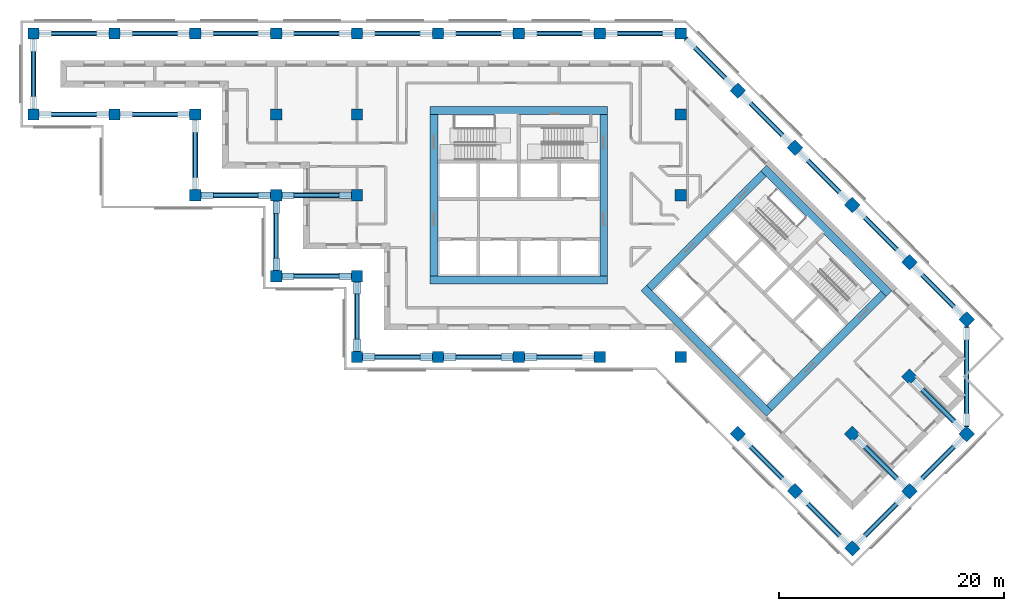
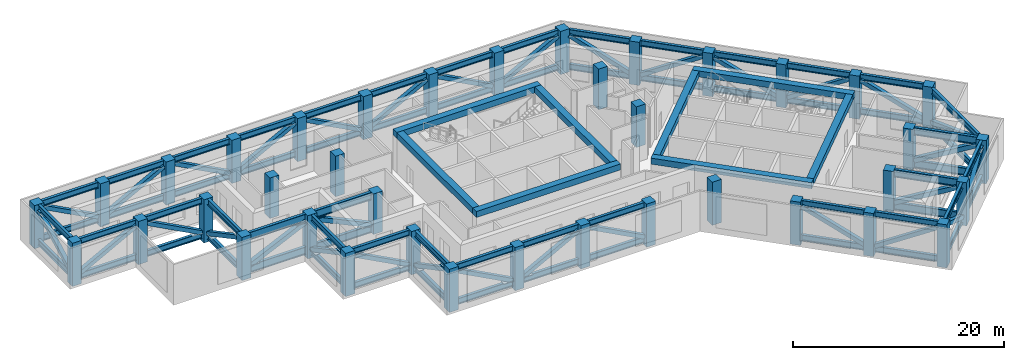
# One storey, part 1 of 9: 96 members, 38 columns, 15 plates, 8 beams.
"""IFC4 building model written with IfcOpenShell, lengths in metres."""

from ifc_helpers import new_model, si_unit, direction, frame, origin, origin_2d, place, context, subcontext, project, spatial, rectangle, hollow_rectangle, i_section, extrude, material, layer, layer_set, material_profile, profile_set, type_object, element, save


model = new_model("IFC4")

# Units and contexts
model_context = context("Model", 3, precision=1e-05, world=origin(), true_north=direction((0.0, 1.0)))
body_context = subcontext(model_context, "Body", "Model", "MODEL_VIEW")
ifc_project = project(units=[si_unit("LENGTHUNIT", "METRE"), si_unit("AREAUNIT", "SQUARE_METRE"), si_unit("VOLUMEUNIT", "CUBIC_METRE"), si_unit("PLANEANGLEUNIT", "RADIAN"), si_unit("MASSUNIT", "GRAM", prefix="KILO")], contexts=[model_context])

# Site, building, storey
site_placement = place(None, origin())
site = spatial("IfcSite", under=ifc_project, at=site_placement, CompositionType="ELEMENT")
building_placement = place(site_placement, origin())
building = spatial("IfcBuilding", under=site, at=building_placement, Name="Windrow Commons", CompositionType="ELEMENT")
storey_placement = place(building_placement, frame((0.0, 0.0, 126.2)))
storey = spatial("IfcBuildingStorey", under=building, at=storey_placement, Name="L34", CompositionType="ELEMENT", Elevation=126.2)

# Columns
ifc_material_1 = material(Name="Concrete C60/75", Category="concrete")
ifc_material_profile_1 = material_profile(ifc_material_1, rectangle(XDim=1.0, YDim=1.0, at=origin_2d()))
ifc_profile_set_1 = profile_set([ifc_material_profile_1], Name="Concrete C60/75")
column_type = type_object("IfcColumnType", Name="RC COLUMN 1000x1000 C60/75", PredefinedType="COLUMN", material=ifc_profile_set_1)
for number, where, z_axis, x_axis, name in (
    (1, (21.6, 64.8, -0.3), (0.0, 0.0, 1.0), (1.0, 0.0, 0.0), "C-SG2-04I"),
    (2, (21.6, 72.0, -0.3), (0.0, 0.0, 1.0), (1.0, 0.0, 0.0), "C-SG2-04J"),
    (3, (28.8, 64.8, -0.3), (0.0, 0.0, 1.0), (1.0, 0.0, 0.0), "C-SG2-05I"),
    (4, (28.8, 72.0, -0.3), (0.0, 0.0, 1.0), (1.0, 0.0, 0.0), "C-SG2-05J"),
    (5, (36.0, 57.6, -0.3), (0.0, 0.0, 1.0), (1.0, 0.0, 0.0), "C-SG2-06H"),
    (6, (36.0, 64.8, -0.3), (0.0, 0.0, 1.0), (1.0, 0.0, 0.0), "C-SG2-06I"),
    (7, (36.0, 72.0, -0.3), (0.0, 0.0, 1.0), (1.0, 0.0, 0.0), "C-SG2-06J"),
    (8, (43.2, 50.4, -0.3), (0.0, 0.0, 1.0), (1.0, 0.0, 0.0), "C-SG2-07G"),
    (9, (43.2, 57.6, -0.3), (0.0, 0.0, 1.0), (1.0, 0.0, 0.0), "C-SG2-07H"),
):
    element("IfcColumn", number, at=place(storey_placement, frame(where, z_axis=z_axis, x_axis=x_axis)), inside=storey, type_object=column_type, Name=name, PredefinedType="COLUMN", context=body_context, shape_type="SweptSolid", body=[
        extrude(rectangle(XDim=1.0, YDim=1.0, at=origin_2d()), origin(), (0.0, 0.0, 1.0), 5.0),
    ])
column_placement = place(storey_placement, frame((43.2, 64.8, 0.0), z_axis=(0.0, 0.0, 1.0), x_axis=(1.0, 0.0, 0.0)))
element("IfcColumn", 10, at=column_placement, inside=storey, type_object=column_type, Name="C-SG2-07I", PredefinedType="COLUMN", context=body_context, shape_type="SweptSolid", body=[
    extrude(rectangle(XDim=1.0, YDim=1.0, at=origin_2d()), origin(), (0.0, 0.0, 1.0), 4.7),
])
for number, where, z_axis, x_axis, name in (
    (11, (43.2, 72.0, -0.3), (0.0, 0.0, 1.0), (1.0, 0.0, 0.0), "C-SG2-07J"),
    (12, (50.4, 43.2, -0.3), (0.0, 0.0, 1.0), (1.0, 0.0, 0.0), "C-SG2-08F"),
    (13, (50.4, 50.4, -0.3), (0.0, 0.0, 1.0), (1.0, 0.0, 0.0), "C-SG2-08G"),
):
    element("IfcColumn", number, at=place(storey_placement, frame(where, z_axis=z_axis, x_axis=x_axis)), inside=storey, type_object=column_type, Name=name, PredefinedType="COLUMN", context=body_context, shape_type="SweptSolid", body=[
        extrude(rectangle(XDim=1.0, YDim=1.0, at=origin_2d()), origin(), (0.0, 0.0, 1.0), 5.0),
    ])
for number, where, z_axis, x_axis, name in (
    (14, (50.4, 57.6, 0.0), (0.0, 0.0, 1.0), (1.0, 0.0, 0.0), "C-SG2-08H"),
    (15, (50.4, 64.8, 0.0), (0.0, 0.0, 1.0), (1.0, 0.0, 0.0), "C-SG2-08I"),
):
    element("IfcColumn", number, at=place(storey_placement, frame(where, z_axis=z_axis, x_axis=x_axis)), inside=storey, type_object=column_type, Name=name, PredefinedType="COLUMN", context=body_context, shape_type="SweptSolid", body=[
        extrude(rectangle(XDim=1.0, YDim=1.0, at=origin_2d()), origin(), (0.0, 0.0, 1.0), 4.7),
    ])
for number, where, z_axis, x_axis, name in (
    (16, (50.4, 72.0, -0.3), (0.0, 0.0, 1.0), (1.0, 0.0, 0.0), "C-SG2-08J"),
    (17, (57.6, 43.2, -0.3), (0.0, 0.0, 1.0), (1.0, 0.0, 0.0), "C-SG2-09F"),
    (18, (57.6, 72.0, -0.3), (0.0, 0.0, 1.0), (1.0, 0.0, 0.0), "C-SG2-09J"),
    (19, (64.8, 43.2, -0.3), (0.0, 0.0, 1.0), (1.0, 0.0, 0.0), "C-SG2-10F"),
    (20, (64.8, 72.0, -0.3), (0.0, 0.0, 1.0), (1.0, 0.0, 0.0), "C-SG2-10J"),
    (21, (72.0, 43.2, -0.3), (0.0, 0.0, 1.0), (1.0, 0.0, 0.0), "C-SG2-11F"),
    (22, (72.0, 72.0, -0.3), (0.0, 0.0, 1.0), (1.0, 0.0, 0.0), "C-SG2-11J"),
    (23, (79.2, 43.2, -0.3), (0.0, 0.0, 1.0), (1.0, 0.0, 0.0), "C-SG2-12F"),
):
    element("IfcColumn", number, at=place(storey_placement, frame(where, z_axis=z_axis, x_axis=x_axis)), inside=storey, type_object=column_type, Name=name, PredefinedType="COLUMN", context=body_context, shape_type="SweptSolid", body=[
        extrude(rectangle(XDim=1.0, YDim=1.0, at=origin_2d()), origin(), (0.0, 0.0, 1.0), 5.0),
    ])
for number, where, z_axis, x_axis, name in (
    (24, (79.2, 57.6, 0.0), (0.0, 0.0, 1.0), (1.0, 0.0, 0.0), "C-SG2-12H"),
    (25, (79.2, 64.8, 0.0), (0.0, 0.0, 1.0), (1.0, 0.0, 0.0), "C-SG2-12I"),
):
    element("IfcColumn", number, at=place(storey_placement, frame(where, z_axis=z_axis, x_axis=x_axis)), inside=storey, type_object=column_type, Name=name, PredefinedType="COLUMN", context=body_context, shape_type="SweptSolid", body=[
        extrude(rectangle(XDim=1.0, YDim=1.0, at=origin_2d()), origin(), (0.0, 0.0, 1.0), 4.7),
    ])
for number, where, z_axis, x_axis, name in (
    (26, (79.2, 72.0, -0.3), (0.0, 0.0, 1.0), (1.0, 0.0, 0.0), "C-SG2-12J"),
    (27, (84.2912, 66.9088, -0.3), (0.0, 0.0, 1.0), (0.7071067812, -0.7071067812, 0.0), "C-SG2-P2Q"),
    (28, (89.3823, 61.8177, -0.3), (0.0, 0.0, 1.0), (0.7071067812, -0.7071067812, 0.0), "C-SG2-P3Q"),
    (29, (94.4735, 56.7265, -0.3), (0.0, 0.0, 1.0), (0.7071067812, -0.7071067812, 0.0), "C-SG2-P4Q"),
    (30, (99.5647, 51.6353, -0.3), (0.0, 0.0, 1.0), (0.7071067812, -0.7071067812, 0.0), "C-SG2-P5Q"),
    (31, (84.2912, 36.3618, -0.3), (0.0, 0.0, 1.0), (0.7071067812, -0.7071067812, 0.0), "C-SG2-P5T"),
    (32, (104.6558, 46.5442, -0.3), (0.0, 0.0, 1.0), (0.7071067812, -0.7071067812, 0.0), "C-SG2-P6Q"),
):
    element("IfcColumn", number, at=place(storey_placement, frame(where, z_axis=z_axis, x_axis=x_axis)), inside=storey, type_object=column_type, Name=name, PredefinedType="COLUMN", context=body_context, shape_type="SweptSolid", body=[
        extrude(rectangle(XDim=1.0, YDim=1.0, at=origin_2d()), origin(), (0.0, 0.0, 1.0), 5.0),
    ])
for number, where, z_axis, x_axis, name in (
    (33, (99.5647, 41.453, 0.0), (0.0, 0.0, 1.0), (0.7071067812, -0.7071067812, 0.0), "C-SG2-P6R"),
    (34, (94.4735, 36.3618, 0.0), (0.0, 0.0, 1.0), (0.7071067812, -0.7071067812, 0.0), "C-SG2-P6S"),
):
    element("IfcColumn", number, at=place(storey_placement, frame(where, z_axis=z_axis, x_axis=x_axis)), inside=storey, type_object=column_type, Name=name, PredefinedType="COLUMN", context=body_context, shape_type="SweptSolid", body=[
        extrude(rectangle(XDim=1.0, YDim=1.0, at=origin_2d()), origin(), (0.0, 0.0, 1.0), 4.7),
    ])
for number, where, z_axis, x_axis, name in (
    (35, (89.3823, 31.2706, -0.3), (0.0, 0.0, 1.0), (0.7071067812, -0.7071067812, 0.0), "C-SG2-P6T"),
    (36, (104.6558, 36.3618, -0.3), (0.0, 0.0, 1.0), (0.7071067812, -0.7071067812, 0.0), "C-SG2-P7R"),
    (37, (99.5647, 31.2706, -0.3), (0.0, 0.0, 1.0), (0.7071067812, -0.7071067812, 0.0), "C-SG2-P7S"),
    (38, (94.4735, 26.1795, -0.3), (0.0, 0.0, 1.0), (0.7071067812, -0.7071067812, 0.0), "C-SG2-P7T"),
):
    element("IfcColumn", number, at=place(storey_placement, frame(where, z_axis=z_axis, x_axis=x_axis)), inside=storey, type_object=column_type, Name=name, PredefinedType="COLUMN", context=body_context, shape_type="SweptSolid", body=[
        extrude(rectangle(XDim=1.0, YDim=1.0, at=origin_2d()), origin(), (0.0, 0.0, 1.0), 5.0),
    ])

# Beams
ifc_material_2 = material(Name="Concrete C50/60", Category="concrete")
ifc_material_profile_2 = material_profile(ifc_material_2, rectangle(XDim=0.7, YDim=0.7, at=origin_2d()))
ifc_profile_set_2 = profile_set([ifc_material_profile_2], Name="Concrete C50/60")
beam_type = type_object("IfcBeamType", Name="RC COUPLING BEAM 700x700 C50/60", PredefinedType="LINTEL", material=ifc_profile_set_2)
for number, where, z_axis, x_axis, name in (
    (39, (56.9, 50.05, 4.35), (1.0, 0.0, 0.0), (0.0, 1.0, 0.0), "Core A coupling beam outer-S"),
    (40, (56.9, 65.15, 4.35), (1.0, 0.0, 0.0), (0.0, 1.0, 0.0), "Core A coupling beam outer-N"),
):
    element("IfcBeam", number, at=place(storey_placement, frame(where, z_axis=z_axis, x_axis=x_axis)), inside=storey, type_object=beam_type, Name=name, PredefinedType="LINTEL", context=body_context, shape_type="SweptSolid", body=[
        extrude(rectangle(XDim=0.7, YDim=0.7, at=origin_2d()), origin(), (0.0, 0.0, 1.0), 15.8),
    ])
for number, where, z_axis, x_axis, name in (
    (41, (57.25, 50.4, 4.35), (0.0, 1.0, 0.0), (-1.0, 0.0, 0.0), "Core A coupling beam outer-W"),
    (42, (72.35, 50.4, 4.35), (0.0, 1.0, 0.0), (-1.0, 0.0, 0.0), "Core A coupling beam outer-E"),
):
    element("IfcBeam", number, at=place(storey_placement, frame(where, z_axis=z_axis, x_axis=x_axis)), inside=storey, type_object=beam_type, Name=name, PredefinedType="LINTEL", context=body_context, shape_type="SweptSolid", body=[
        extrude(rectangle(XDim=0.7, YDim=0.7, at=origin_2d()), origin(), (0.0, 0.0, 1.0), 14.4),
    ])
for number, where, z_axis, x_axis, name in (
    (43, (75.912, 49.3372, 4.35), (0.7071036166, -0.7071099457, 0.0), (0.7071099457, 0.7071036166, 0.0), "Core B coupling beam outer-S"),
    (44, (86.5893, 60.0145, 4.35), (0.7071099457, -0.7071036166, 0.0), (0.7071036166, 0.7071099457, 0.0), "Core B coupling beam outer-N"),
):
    element("IfcBeam", number, at=place(storey_placement, frame(where, z_axis=z_axis, x_axis=x_axis)), inside=storey, type_object=beam_type, Name=name, PredefinedType="LINTEL", context=body_context, shape_type="SweptSolid", body=[
        extrude(rectangle(XDim=0.7, YDim=0.7, at=origin_2d()), origin(), (0.0, 0.0, 1.0), 15.7999),
    ])
for number, where, z_axis, x_axis, name in (
    (45, (76.4069, 49.3372, 4.35), (0.7071067812, 0.7071067812, 0.0), (-0.7071067812, 0.7071067812, 0.0), "Core B coupling beam outer-W"),
    (46, (87.0842, 38.6599, 4.35), (0.7071067812, 0.7071067812, 0.0), (-0.7071067812, 0.7071067812, 0.0), "Core B coupling beam outer-E"),
):
    element("IfcBeam", number, at=place(storey_placement, frame(where, z_axis=z_axis, x_axis=x_axis)), inside=storey, type_object=beam_type, Name=name, PredefinedType="LINTEL", context=body_context, shape_type="SweptSolid", body=[
        extrude(rectangle(XDim=0.7, YDim=0.7, at=origin_2d()), origin(), (0.0, 0.0, 1.0), 14.4001),
    ])

# Members
ifc_material_3 = material(Name="Steel S355", Category="steel")
ifc_material_profile_3 = material_profile(ifc_material_3, i_section(OverallWidth=0.3, OverallDepth=0.7, WebThickness=0.017, FlangeThickness=0.032, FilletRadius=0.027, at=origin_2d()))
ifc_profile_set_3 = profile_set([ifc_material_profile_3], Name="Steel S355")
member_type_1 = type_object("IfcMemberType", Name="STEEL OUTRIGGER CHORD HE700B S355", PredefinedType="CHORD", material=ifc_profile_set_3)
for number, where, z_axis, x_axis, name in (
    (47, (71.5, 43.2, 0.35), (-1.0, 0.0, 0.0), (0.0, -1.0, 0.0), "belt00 chord 1 bot"),
    (48, (71.5, 43.2, 4.35), (-1.0, 0.0, 0.0), (0.0, -1.0, 0.0), "belt00 chord 1 top"),
    (49, (64.3, 43.2, 0.35), (-1.0, 0.0, 0.0), (0.0, -1.0, 0.0), "belt00 chord 2 bot"),
    (50, (64.3, 43.2, 4.35), (-1.0, 0.0, 0.0), (0.0, -1.0, 0.0), "belt00 chord 2 top"),
    (51, (57.1, 43.2, 0.35), (-1.0, 0.0, 0.0), (0.0, -1.0, 0.0), "belt00 chord 3 bot"),
    (52, (57.1, 43.2, 4.35), (-1.0, 0.0, 0.0), (0.0, -1.0, 0.0), "belt00 chord 3 top"),
    (53, (50.4, 43.7, 0.35), (0.0, 1.0, 0.0), (-1.0, 0.0, 0.0), "belt00 chord 4 bot"),
    (54, (50.4, 43.7, 4.35), (0.0, 1.0, 0.0), (-1.0, 0.0, 0.0), "belt00 chord 4 top"),
    (55, (49.9, 50.4, 0.35), (-1.0, 0.0, 0.0), (0.0, -1.0, 0.0), "belt00 chord 5 bot"),
    (56, (49.9, 50.4, 4.35), (-1.0, 0.0, 0.0), (0.0, -1.0, 0.0), "belt00 chord 5 top"),
    (57, (43.2, 50.9, 0.35), (0.0, 1.0, 0.0), (-1.0, 0.0, 0.0), "belt00 chord 6 bot"),
    (58, (43.2, 50.9, 4.35), (0.0, 1.0, 0.0), (-1.0, 0.0, 0.0), "belt00 chord 6 top"),
    (59, (36.0, 58.1, 0.35), (0.0, 1.0, 0.0), (-1.0, 0.0, 0.0), "belt00 chord 8 bot"),
    (60, (36.0, 58.1, 4.35), (0.0, 1.0, 0.0), (-1.0, 0.0, 0.0), "belt00 chord 8 top"),
    (61, (35.5, 64.8, 0.35), (-1.0, 0.0, 0.0), (0.0, -1.0, 0.0), "belt00 chord 9 bot"),
    (62, (35.5, 64.8, 4.35), (-1.0, 0.0, 0.0), (0.0, -1.0, 0.0), "belt00 chord 9 top"),
    (63, (28.3, 64.8, 0.35), (-1.0, 0.0, 0.0), (0.0, -1.0, 0.0), "belt00 chord 10 bot"),
    (64, (28.3, 64.8, 4.35), (-1.0, 0.0, 0.0), (0.0, -1.0, 0.0), "belt00 chord 10 top"),
    (65, (21.6, 65.3, 0.35), (0.0, 1.0, 0.0), (-1.0, 0.0, 0.0), "belt00 chord 11 bot"),
    (66, (21.6, 65.3, 4.35), (0.0, 1.0, 0.0), (-1.0, 0.0, 0.0), "belt00 chord 11 top"),
    (67, (22.1, 72.0, 0.35), (1.0, 0.0, 0.0), (0.0, 1.0, 0.0), "belt00 chord 12 bot"),
    (68, (22.1, 72.0, 4.35), (1.0, 0.0, 0.0), (0.0, 1.0, 0.0), "belt00 chord 12 top"),
    (69, (29.3, 72.0, 0.35), (1.0, 0.0, 0.0), (0.0, 1.0, 0.0), "belt00 chord 13 bot"),
    (70, (29.3, 72.0, 4.35), (1.0, 0.0, 0.0), (0.0, 1.0, 0.0), "belt00 chord 13 top"),
    (71, (36.5, 72.0, 0.35), (1.0, 0.0, 0.0), (0.0, 1.0, 0.0), "belt00 chord 14 bot"),
    (72, (36.5, 72.0, 4.35), (1.0, 0.0, 0.0), (0.0, 1.0, 0.0), "belt00 chord 14 top"),
    (73, (43.7, 72.0, 0.35), (1.0, 0.0, 0.0), (0.0, 1.0, 0.0), "belt00 chord 15 bot"),
    (74, (43.7, 72.0, 4.35), (1.0, 0.0, 0.0), (0.0, 1.0, 0.0), "belt00 chord 15 top"),
    (75, (50.9, 72.0, 0.35), (1.0, 0.0, 0.0), (0.0, 1.0, 0.0), "belt00 chord 16 bot"),
    (76, (50.9, 72.0, 4.35), (1.0, 0.0, 0.0), (0.0, 1.0, 0.0), "belt00 chord 16 top"),
    (77, (58.1, 72.0, 0.35), (1.0, 0.0, 0.0), (0.0, 1.0, 0.0), "belt00 chord 17 bot"),
    (78, (58.1, 72.0, 4.35), (1.0, 0.0, 0.0), (0.0, 1.0, 0.0), "belt00 chord 17 top"),
    (79, (65.3, 72.0, 0.35), (1.0, 0.0, 0.0), (0.0, 1.0, 0.0), "belt00 chord 18 bot"),
    (80, (65.3, 72.0, 4.35), (1.0, 0.0, 0.0), (0.0, 1.0, 0.0), "belt00 chord 18 top"),
    (81, (72.5, 72.0, 0.35), (1.0, 0.0, 0.0), (0.0, 1.0, 0.0), "belt00 chord 19 bot"),
    (82, (72.5, 72.0, 4.35), (1.0, 0.0, 0.0), (0.0, 1.0, 0.0), "belt00 chord 19 top"),
):
    element("IfcMember", number, at=place(storey_placement, frame(where, z_axis=z_axis, x_axis=x_axis)), inside=storey, type_object=member_type_1, Name=name, PredefinedType="CHORD", context=body_context, shape_type="SweptSolid", body=[
        extrude(i_section(OverallWidth=0.3, OverallDepth=0.7, WebThickness=0.017, FlangeThickness=0.032, FilletRadius=0.027, at=origin_2d()), origin(), (0.0, 0.0, 1.0), 6.2),
    ])
for number, where, z_axis, x_axis, name in (
    (83, (79.7, 71.5, 0.35), (0.7071067812, -0.7071067812, 0.0), (0.7071067812, 0.7071067812, 0.0), "belt00 chord 20 bot"),
    (84, (79.7, 71.5, 4.35), (0.7071067812, -0.7071067812, 0.0), (0.7071067812, 0.7071067812, 0.0), "belt00 chord 20 top"),
):
    element("IfcMember", number, at=place(storey_placement, frame(where, z_axis=z_axis, x_axis=x_axis)), inside=storey, type_object=member_type_1, Name=name, PredefinedType="CHORD", context=body_context, shape_type="SweptSolid", body=[
        extrude(i_section(OverallWidth=0.3, OverallDepth=0.7, WebThickness=0.017, FlangeThickness=0.032, FilletRadius=0.027, at=origin_2d()), origin(), (0.0, 0.0, 1.0), 5.9929),
    ])
for number, where, z_axis, x_axis, name in (
    (85, (84.6448, 66.5552, 0.35), (0.7071067812, -0.7071067812, 0.0), (0.7071067812, 0.7071067812, 0.0), "belt00 chord 21 bot"),
    (86, (84.6448, 66.5552, 4.35), (0.7071067812, -0.7071067812, 0.0), (0.7071067812, 0.7071067812, 0.0), "belt00 chord 21 top"),
):
    element("IfcMember", number, at=place(storey_placement, frame(where, z_axis=z_axis, x_axis=x_axis)), inside=storey, type_object=member_type_1, Name=name, PredefinedType="CHORD", context=body_context, shape_type="SweptSolid", body=[
        extrude(i_section(OverallWidth=0.3, OverallDepth=0.7, WebThickness=0.017, FlangeThickness=0.032, FilletRadius=0.027, at=origin_2d()), origin(), (0.0, 0.0, 1.0), 6.1998),
    ])
for number, where, z_axis, x_axis, name in (
    (87, (89.7359, 61.4641, 0.35), (0.7071067812, -0.7071067812, 0.0), (0.7071067812, 0.7071067812, 0.0), "belt00 chord 22 bot"),
    (88, (89.7359, 61.4641, 4.35), (0.7071067812, -0.7071067812, 0.0), (0.7071067812, 0.7071067812, 0.0), "belt00 chord 22 top"),
    (89, (94.8271, 56.3729, 0.35), (0.7071067812, -0.7071067812, 0.0), (0.7071067812, 0.7071067812, 0.0), "belt00 chord 23 bot"),
    (90, (94.8271, 56.3729, 4.35), (0.7071067812, -0.7071067812, 0.0), (0.7071067812, 0.7071067812, 0.0), "belt00 chord 23 top"),
):
    element("IfcMember", number, at=place(storey_placement, frame(where, z_axis=z_axis, x_axis=x_axis)), inside=storey, type_object=member_type_1, Name=name, PredefinedType="CHORD", context=body_context, shape_type="SweptSolid", body=[
        extrude(i_section(OverallWidth=0.3, OverallDepth=0.7, WebThickness=0.017, FlangeThickness=0.032, FilletRadius=0.027, at=origin_2d()), origin(), (0.0, 0.0, 1.0), 6.1999),
    ])
for number, where, z_axis, x_axis, name in (
    (91, (99.9183, 51.2817, 0.35), (0.7071067812, -0.7071067812, 0.0), (0.7071067812, 0.7071067812, 0.0), "belt00 chord 24 bot"),
    (92, (99.9183, 51.2817, 4.35), (0.7071067812, -0.7071067812, 0.0), (0.7071067812, 0.7071067812, 0.0), "belt00 chord 24 top"),
):
    element("IfcMember", number, at=place(storey_placement, frame(where, z_axis=z_axis, x_axis=x_axis)), inside=storey, type_object=member_type_1, Name=name, PredefinedType="CHORD", context=body_context, shape_type="SweptSolid", body=[
        extrude(i_section(OverallWidth=0.3, OverallDepth=0.7, WebThickness=0.017, FlangeThickness=0.032, FilletRadius=0.027, at=origin_2d()), origin(), (0.0, 0.0, 1.0), 6.1998),
    ])
for number, where, z_axis, x_axis, name in (
    (93, (104.6558, 45.8371, 0.35), (0.0, -1.0, 0.0), (1.0, 0.0, 0.0), "belt00 chord 25 bot"),
    (94, (104.6558, 45.8371, 4.35), (0.0, -1.0, 0.0), (1.0, 0.0, 0.0), "belt00 chord 25 top"),
):
    element("IfcMember", number, at=place(storey_placement, frame(where, z_axis=z_axis, x_axis=x_axis)), inside=storey, type_object=member_type_1, Name=name, PredefinedType="CHORD", context=body_context, shape_type="SweptSolid", body=[
        extrude(i_section(OverallWidth=0.3, OverallDepth=0.7, WebThickness=0.017, FlangeThickness=0.032, FilletRadius=0.027, at=origin_2d()), origin(), (0.0, 0.0, 1.0), 8.7682),
    ])
for number, where, z_axis, x_axis, name in (
    (95, (104.3022, 36.0082, 0.35), (-0.7070987164, -0.7071148459, 0.0), (0.7071148459, -0.7070987164, 0.0), "belt00 chord 26 bot"),
    (96, (104.3022, 36.0082, 4.35), (-0.7070987164, -0.7071148459, 0.0), (0.7071148459, -0.7070987164, 0.0), "belt00 chord 26 top"),
    (97, (99.2111, 30.917, 0.35), (-0.7071148459, -0.7070987164, 0.0), (0.7070987164, -0.7071148459, 0.0), "belt00 chord 27 bot"),
    (98, (99.2111, 30.917, 4.35), (-0.7071148459, -0.7070987164, 0.0), (0.7070987164, -0.7071148459, 0.0), "belt00 chord 27 top"),
    (99, (94.1199, 26.5331, 0.35), (-0.7071148459, 0.7070987164, 0.0), (-0.7070987164, -0.7071148459, 0.0), "belt00 chord 28 bot"),
    (100, (94.1199, 26.5331, 4.35), (-0.7071148459, 0.7070987164, 0.0), (-0.7070987164, -0.7071148459, 0.0), "belt00 chord 28 top"),
    (101, (89.0287, 31.6242, 0.35), (-0.7070987164, 0.7071148459, 0.0), (-0.7071148459, -0.7070987164, 0.0), "belt00 chord 29 bot"),
    (102, (89.0287, 31.6242, 4.35), (-0.7070987164, 0.7071148459, 0.0), (-0.7071148459, -0.7070987164, 0.0), "belt00 chord 29 top"),
):
    element("IfcMember", number, at=place(storey_placement, frame(where, z_axis=z_axis, x_axis=x_axis)), inside=storey, type_object=member_type_1, Name=name, PredefinedType="CHORD", context=body_context, shape_type="SweptSolid", body=[
        extrude(i_section(OverallWidth=0.3, OverallDepth=0.7, WebThickness=0.017, FlangeThickness=0.032, FilletRadius=0.027, at=origin_2d()), origin(), (0.0, 0.0, 1.0), 6.1998),
    ])
ifc_material_4 = material(Name="Steel S355", Category="steel")
ifc_material_profile_4 = material_profile(ifc_material_4, i_section(OverallWidth=0.3, OverallDepth=0.9, WebThickness=0.0185, FlangeThickness=0.035, FilletRadius=0.03, at=origin_2d()))
ifc_profile_set_4 = profile_set([ifc_material_profile_4], Name="Steel S355")
member_type_2 = type_object("IfcMemberType", Name="STEEL OUTRIGGER CHORD HE900B S355", PredefinedType="CHORD", material=ifc_profile_set_4)
for number, where, z_axis, x_axis, name in (
    (103, (49.9, 57.6, 0.45), (-1.0, 0.0, 0.0), (0.0, -1.0, 0.0), "outA-W chord 1 bot"),
    (104, (49.9, 57.6, 4.25), (-1.0, 0.0, 0.0), (0.0, -1.0, 0.0), "outA-W chord 1 top"),
    (105, (42.7, 57.6, 0.45), (-1.0, 0.0, 0.0), (0.0, -1.0, 0.0), "outA-W chord 2 bot"),
    (106, (42.7, 57.6, 4.25), (-1.0, 0.0, 0.0), (0.0, -1.0, 0.0), "outA-W chord 2 top"),
):
    element("IfcMember", number, at=place(storey_placement, frame(where, z_axis=z_axis, x_axis=x_axis)), inside=storey, type_object=member_type_2, Name=name, PredefinedType="CHORD", context=body_context, shape_type="SweptSolid", body=[
        extrude(i_section(OverallWidth=0.3, OverallDepth=0.9, WebThickness=0.0185, FlangeThickness=0.035, FilletRadius=0.03, at=origin_2d()), origin(), (0.0, 0.0, 1.0), 6.2),
    ])
for number, where, z_axis, x_axis, name in (
    (107, (99.9183, 41.0994, 0.45), (0.7070987164, -0.7071148459, 0.0), (0.7071148459, 0.7070987164, 0.0), "outB-1 chord 1 bot"),
    (108, (99.9183, 41.0994, 4.25), (0.7070987164, -0.7071148459, 0.0), (0.7071148459, 0.7070987164, 0.0), "outB-1 chord 1 top"),
):
    element("IfcMember", number, at=place(storey_placement, frame(where, z_axis=z_axis, x_axis=x_axis)), inside=storey, type_object=member_type_2, Name=name, PredefinedType="CHORD", context=body_context, shape_type="SweptSolid", body=[
        extrude(i_section(OverallWidth=0.3, OverallDepth=0.9, WebThickness=0.0185, FlangeThickness=0.035, FilletRadius=0.03, at=origin_2d()), origin(), (0.0, 0.0, 1.0), 6.1998),
    ])
for number, where, z_axis, x_axis, name in (
    (109, (94.8271, 36.0082, 0.45), (0.7071067812, -0.7071067812, 0.0), (0.7071067812, 0.7071067812, 0.0), "outB-2 chord 1 bot"),
    (110, (94.8271, 36.0082, 4.25), (0.7071067812, -0.7071067812, 0.0), (0.7071067812, 0.7071067812, 0.0), "outB-2 chord 1 top"),
):
    element("IfcMember", number, at=place(storey_placement, frame(where, z_axis=z_axis, x_axis=x_axis)), inside=storey, type_object=member_type_2, Name=name, PredefinedType="CHORD", context=body_context, shape_type="SweptSolid", body=[
        extrude(i_section(OverallWidth=0.3, OverallDepth=0.9, WebThickness=0.0185, FlangeThickness=0.035, FilletRadius=0.03, at=origin_2d()), origin(), (0.0, 0.0, 1.0), 6.1999),
    ])
ifc_material_5 = material(Name="Steel S355", Category="steel")
ifc_material_profile_5 = material_profile(ifc_material_5, hollow_rectangle(XDim=0.45, YDim=0.45, WallThickness=0.022, at=origin_2d()))
ifc_profile_set_5 = profile_set([ifc_material_profile_5], Name="Steel S355")
member_type_3 = type_object("IfcMemberType", Name="STEEL OUTRIGGER DIAGONAL RHS450x450x22 S355", PredefinedType="BRACE", material=ifc_profile_set_5)
for number, where, z_axis, x_axis, name in (
    (111, (71.5, 43.2, 0.7), (-0.8827467591, 0.0, 0.4698490814), (0.0, -1.0, 0.0), "belt00 diagonal 1"),
    (112, (64.3, 43.2, 4.0), (-0.8827467591, 0.0, -0.4698490814), (0.0, -1.0, 0.0), "belt00 diagonal 2"),
    (113, (57.1, 43.2, 0.7), (-0.8827467591, 0.0, 0.4698490814), (0.0, -1.0, 0.0), "belt00 diagonal 3"),
    (114, (50.4, 43.7, 4.0), (0.0, 0.8827467591, -0.4698490814), (-1.0, 0.0, 0.0), "belt00 diagonal 4"),
    (115, (49.9, 50.4, 0.7), (-0.8827467591, 0.0, 0.4698490814), (0.0, -1.0, 0.0), "belt00 diagonal 5"),
    (116, (43.2, 50.9, 4.0), (0.0, 0.8827467591, -0.4698490814), (-1.0, 0.0, 0.0), "belt00 diagonal 6"),
    (117, (36.0, 58.1, 4.0), (0.0, 0.8827467591, -0.4698490814), (-1.0, 0.0, 0.0), "belt00 diagonal 8"),
    (118, (35.5, 64.8, 0.7), (-0.8827467591, 0.0, 0.4698490814), (0.0, -1.0, 0.0), "belt00 diagonal 9"),
    (119, (28.3, 64.8, 4.0), (-0.8827467591, 0.0, -0.4698490814), (0.0, -1.0, 0.0), "belt00 diagonal 10"),
    (120, (21.6, 65.3, 0.7), (0.0, 0.8827467591, 0.4698490814), (-1.0, 0.0, 0.0), "belt00 diagonal 11"),
    (121, (22.1, 72.0, 4.0), (0.8827467591, 0.0, -0.4698490814), (0.0, 1.0, 0.0), "belt00 diagonal 12"),
    (122, (29.3, 72.0, 0.7), (0.8827467591, 0.0, 0.4698490814), (0.0, 1.0, 0.0), "belt00 diagonal 13"),
    (123, (36.5, 72.0, 4.0), (0.8827467591, 0.0, -0.4698490814), (0.0, 1.0, 0.0), "belt00 diagonal 14"),
    (124, (43.7, 72.0, 0.7), (0.8827467591, 0.0, 0.4698490814), (0.0, 1.0, 0.0), "belt00 diagonal 15"),
    (125, (50.9, 72.0, 4.0), (0.8827467591, 0.0, -0.4698490814), (0.0, 1.0, 0.0), "belt00 diagonal 16"),
    (126, (58.1, 72.0, 0.7), (0.8827467591, 0.0, 0.4698490814), (0.0, 1.0, 0.0), "belt00 diagonal 17"),
    (127, (65.3, 72.0, 4.0), (0.8827467591, 0.0, -0.4698490814), (0.0, 1.0, 0.0), "belt00 diagonal 18"),
    (128, (72.5, 72.0, 0.7), (0.8827467591, 0.0, 0.4698490814), (0.0, 1.0, 0.0), "belt00 diagonal 19"),
):
    element("IfcMember", number, at=place(storey_placement, frame(where, z_axis=z_axis, x_axis=x_axis)), inside=storey, type_object=member_type_3, Name=name, PredefinedType="BRACE", context=body_context, shape_type="SweptSolid", body=[
        extrude(hollow_rectangle(XDim=0.45, YDim=0.45, WallThickness=0.022, at=origin_2d()), origin(), (0.0, 0.0, 1.0), 7.0235),
    ])
member_1_placement = place(storey_placement, frame((79.7, 71.5, 4.0), z_axis=(0.6194070155, -0.6194070155, -0.4823586821), x_axis=(0.7071067812, 0.7071067812, 0.0)))
element("IfcMember", 129, at=member_1_placement, inside=storey, type_object=member_type_3, Name="belt00 diagonal 20", PredefinedType="BRACE", context=body_context, shape_type="SweptSolid", body=[
    extrude(hollow_rectangle(XDim=0.45, YDim=0.45, WallThickness=0.022, at=origin_2d()), origin(), (0.0, 0.0, 1.0), 6.8414),
])
member_2_placement = place(storey_placement, frame((84.6448, 66.5552, 0.7), z_axis=(0.624191126, -0.624191126, 0.4698626145), x_axis=(0.7071067812, 0.7071067812, 0.0)))
element("IfcMember", 130, at=member_2_placement, inside=storey, type_object=member_type_3, Name="belt00 diagonal 21", PredefinedType="BRACE", context=body_context, shape_type="SweptSolid", body=[
    extrude(hollow_rectangle(XDim=0.45, YDim=0.45, WallThickness=0.022, at=origin_2d()), origin(), (0.0, 0.0, 1.0), 7.0233),
])
for number, where, z_axis, x_axis, name in (
    (131, (89.7359, 61.4641, 4.0), (0.6241942693, -0.6241942693, -0.4698542629), (0.7071067812, 0.7071067812, 0.0), "belt00 diagonal 22"),
    (132, (94.8271, 56.3729, 0.7), (0.6241942693, -0.6241942693, 0.4698542629), (0.7071067812, 0.7071067812, 0.0), "belt00 diagonal 23"),
):
    element("IfcMember", number, at=place(storey_placement, frame(where, z_axis=z_axis, x_axis=x_axis)), inside=storey, type_object=member_type_3, Name=name, PredefinedType="BRACE", context=body_context, shape_type="SweptSolid", body=[
        extrude(hollow_rectangle(XDim=0.45, YDim=0.45, WallThickness=0.022, at=origin_2d()), origin(), (0.0, 0.0, 1.0), 7.0235),
    ])
member_3_placement = place(storey_placement, frame((99.9183, 51.2817, 4.0), z_axis=(0.624191126, -0.624191126, -0.4698626145), x_axis=(0.7071067812, 0.7071067812, 0.0)))
element("IfcMember", 133, at=member_3_placement, inside=storey, type_object=member_type_3, Name="belt00 diagonal 24", PredefinedType="BRACE", context=body_context, shape_type="SweptSolid", body=[
    extrude(hollow_rectangle(XDim=0.45, YDim=0.45, WallThickness=0.022, at=origin_2d()), origin(), (0.0, 0.0, 1.0), 7.0233),
])
member_4_placement = place(storey_placement, frame((104.6558, 45.8371, 0.7), z_axis=(0.0, -0.9359100367, 0.3522391279), x_axis=(1.0, 0.0, 0.0)))
element("IfcMember", 134, at=member_4_placement, inside=storey, type_object=member_type_3, Name="belt00 diagonal 25", PredefinedType="BRACE", context=body_context, shape_type="SweptSolid", body=[
    extrude(hollow_rectangle(XDim=0.45, YDim=0.45, WallThickness=0.022, at=origin_2d()), origin(), (0.0, 0.0, 1.0), 9.3686),
])
for number, where, z_axis, x_axis, name in (
    (135, (104.3022, 36.0082, 4.0), (-0.6241855786, -0.6241998167, -0.4698584387), (0.7071148459, -0.7070987164, 0.0), "belt00 diagonal 26"),
    (136, (99.2111, 30.917, 0.7), (-0.6241998167, -0.6241855786, 0.4698584387), (0.7070987164, -0.7071148459, 0.0), "belt00 diagonal 27"),
    (137, (94.1199, 26.5331, 4.0), (-0.6241998167, 0.6241855786, -0.4698584387), (-0.7070987164, -0.7071148459, 0.0), "belt00 diagonal 28"),
    (138, (89.0287, 31.6242, 0.7), (-0.6241855786, 0.6241998167, 0.4698584387), (-0.7071148459, -0.7070987164, 0.0), "belt00 diagonal 29"),
):
    element("IfcMember", number, at=place(storey_placement, frame(where, z_axis=z_axis, x_axis=x_axis)), inside=storey, type_object=member_type_3, Name=name, PredefinedType="BRACE", context=body_context, shape_type="SweptSolid", body=[
        extrude(hollow_rectangle(XDim=0.45, YDim=0.45, WallThickness=0.022, at=origin_2d()), origin(), (0.0, 0.0, 1.0), 7.0234),
    ])
ifc_material_6 = material(Name="Steel S355", Category="steel")
ifc_material_profile_6 = material_profile(ifc_material_6, hollow_rectangle(XDim=0.5, YDim=0.5, WallThickness=0.025, at=origin_2d()))
ifc_profile_set_6 = profile_set([ifc_material_profile_6], Name="Steel S355")
member_type_4 = type_object("IfcMemberType", Name="STEEL OUTRIGGER DIAGONAL RHS500x500x25 S355", PredefinedType="BRACE", material=ifc_profile_set_6)
for number, where, z_axis, x_axis, name in (
    (139, (49.9, 57.6, 0.9), (-0.9058095432, 0.0, 0.4236851089), (0.0, -1.0, 0.0), "outA-W diagonal 1"),
    (140, (42.7, 57.6, 3.8), (-0.9058095432, 0.0, -0.4236851089), (0.0, -1.0, 0.0), "outA-W diagonal 2"),
):
    element("IfcMember", number, at=place(storey_placement, frame(where, z_axis=z_axis, x_axis=x_axis)), inside=storey, type_object=member_type_4, Name=name, PredefinedType="BRACE", context=body_context, shape_type="SweptSolid", body=[
        extrude(hollow_rectangle(XDim=0.5, YDim=0.5, WallThickness=0.025, at=origin_2d()), origin(), (0.0, 0.0, 1.0), 6.8447),
    ])
for number, where, z_axis, x_axis, name in (
    (141, (99.9183, 41.0994, 0.9), (0.6404938268, -0.6405084369, 0.4236939934), (0.7071148459, 0.7070987164, 0.0), "outB-1 diagonal 1"),
    (142, (94.8271, 36.0082, 0.9), (0.6405024433, -0.6405024433, 0.4236900286), (0.7071067812, 0.7071067812, 0.0), "outB-2 diagonal 1"),
):
    element("IfcMember", number, at=place(storey_placement, frame(where, z_axis=z_axis, x_axis=x_axis)), inside=storey, type_object=member_type_4, Name=name, PredefinedType="BRACE", context=body_context, shape_type="SweptSolid", body=[
        extrude(hollow_rectangle(XDim=0.5, YDim=0.5, WallThickness=0.025, at=origin_2d()), origin(), (0.0, 0.0, 1.0), 6.8446),
    ])

# Plates
ifc_material_7 = material(Name="Steel S355", Category="steel")
ifc_layer = layer(ifc_material_7, 0.03)
ifc_layer_set = layer_set([ifc_layer], Name="GUSSET PLATE 30 S355")
plate_type = type_object("IfcPlateType", Name="GUSSET PLATE 30 S355", PredefinedType="USERDEFINED", material=ifc_layer_set)
for number, where, z_axis, x_axis, name in (
    (143, (65.85, 43.2, 3.97), (0.0, 0.0, 1.0), (-1.0, 0.0, 0.0), "Gusset plate L34 belt00 2"),
    (144, (63.75, 43.2, 3.97), (0.0, 0.0, 1.0), (-1.0, 0.0, 0.0), "Gusset plate L34 belt00 3"),
    (145, (58.65, 43.2, 0.7), (0.0, 0.0, 1.0), (-1.0, 0.0, 0.0), "Gusset plate L34 belt00 4"),
    (146, (56.55, 43.2, 0.7), (0.0, 0.0, 1.0), (-1.0, 0.0, 0.0), "Gusset plate L34 belt00 5"),
    (147, (51.45, 43.2, 3.97), (0.0, 0.0, 1.0), (-1.0, 0.0, 0.0), "Gusset plate L34 belt00 6"),
    (148, (50.4, 44.25, 3.97), (0.0, 0.0, 1.0), (0.0, 1.0, 0.0), "Gusset plate L34 belt00 7"),
    (149, (50.4, 49.35, 0.7), (0.0, 0.0, 1.0), (0.0, 1.0, 0.0), "Gusset plate L34 belt00 8"),
    (150, (49.35, 50.4, 0.7), (0.0, 0.0, 1.0), (-1.0, 0.0, 0.0), "Gusset plate L34 belt00 9"),
    (151, (44.25, 50.4, 3.97), (0.0, 0.0, 1.0), (-1.0, 0.0, 0.0), "Gusset plate L34 belt00 10"),
    (152, (43.2, 51.45, 3.97), (0.0, 0.0, 1.0), (0.0, 1.0, 0.0), "Gusset plate L34 belt00 11"),
    (153, (43.2, 56.55, 0.7), (0.0, 0.0, 1.0), (0.0, 1.0, 0.0), "Gusset plate L34 belt00 12"),
    (154, (49.35, 57.6, 0.9), (0.0, 0.0, 1.0), (-1.0, 0.0, 0.0), "Gusset plate L34 outA-W 1"),
    (155, (44.25, 57.6, 3.77), (0.0, 0.0, 1.0), (-1.0, 0.0, 0.0), "Gusset plate L34 outA-W 2"),
    (156, (42.15, 57.6, 3.77), (0.0, 0.0, 1.0), (-1.0, 0.0, 0.0), "Gusset plate L34 outA-W 3"),
    (157, (37.05, 57.6, 0.9), (0.0, 0.0, 1.0), (-1.0, 0.0, 0.0), "Gusset plate L34 outA-W 4"),
):
    element("IfcPlate", number, at=place(storey_placement, frame(where, z_axis=z_axis, x_axis=x_axis)), inside=storey, type_object=plate_type, Name=name, ObjectType="GUSSET PLATE", PredefinedType="USERDEFINED", context=body_context, shape_type="SweptSolid", body=[
        extrude(rectangle(XDim=1.1, YDim=0.6, at=origin_2d()), origin(), (0.0, 0.0, 1.0), 0.03),
    ])

save(model, "model.ifc")
